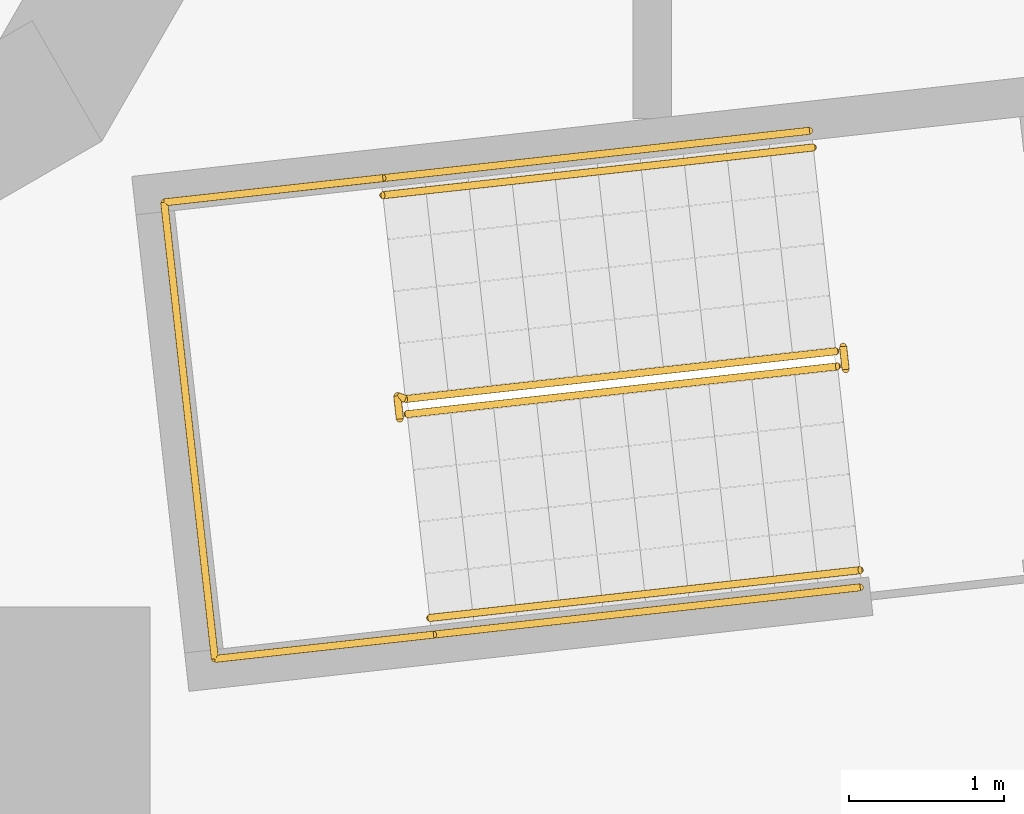
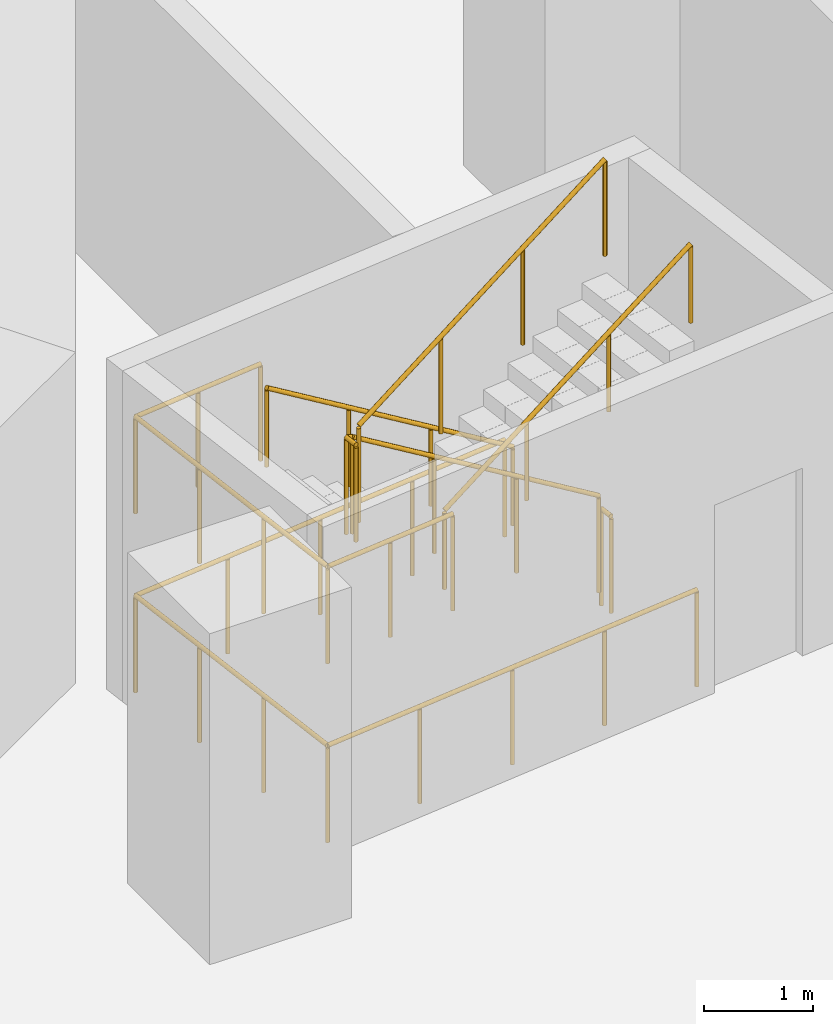
# One storey, part 14 of 18: 7 railings.
"""IFC4 building model written with IfcOpenShell, lengths in metres."""

from ifc_helpers import new_model, si_unit, direction, frame, origin, origin_2d, place, context, subcontext, project, spatial, circle, extrude, material, type_object, element, save


model = new_model("IFC4")

# Units and contexts
model_context = context("Model", 3, precision=1e-05, world=origin(), true_north=direction((0.0, 1.0)))
body_context = subcontext(model_context, "Body", "Model", "MODEL_VIEW")
ifc_project = project(units=[si_unit("LENGTHUNIT", "METRE"), si_unit("AREAUNIT", "SQUARE_METRE"), si_unit("VOLUMEUNIT", "CUBIC_METRE"), si_unit("PLANEANGLEUNIT", "RADIAN"), si_unit("MASSUNIT", "GRAM", prefix="KILO")], contexts=[model_context])

# Site, building, storey
site_placement = place(None, origin())
site = spatial("IfcSite", under=ifc_project, at=site_placement, CompositionType="ELEMENT")
building_placement = place(site_placement, origin())
building = spatial("IfcBuilding", under=site, at=building_placement, Name="Cantera Rosa Tower", CompositionType="ELEMENT")
storey_placement = place(building_placement, frame((0.0, 0.0, -9.0)))
storey = spatial("IfcBuildingStorey", under=building, at=storey_placement, Name="B2", CompositionType="ELEMENT", Elevation=-9.0)

# Railings
ifc_material_1 = material(Name="Steel S355J2 (EN 10025-2)", Category="steel")
railing_type_1 = type_object("IfcRailingType", Name="STAIR GUARD 1100", PredefinedType="GUARDRAIL", material=ifc_material_1)
railing_1_placement = place(storey_placement, frame((13.5859375, -10.19677734375, 0.181884765625)))
element("IfcRailing", 1, at=railing_1_placement, inside=storey, type_object=railing_type_1, Name="B2 ST-14 stair guard 1", PredefinedType="GUARDRAIL", context=body_context, shape_type="SweptSolid", body=[
    extrude(circle(Radius=0.02392578125, at=origin_2d()), frame((0.0, 0.0, 1.076171875), z_axis=(-0.833565741067, -0.09251277965, 0.544618711504), x_axis=(0.110307106705, -0.993897551164, 0.0)), (0.0, 0.0, 1.0), 3.33837890625),
    extrude(circle(Radius=0.02392578125, at=origin_2d()), frame((-2.78271484375, -0.308837890625, 2.89404296875), z_axis=(-0.933456941688, 0.358689472963, 0.0), x_axis=(-0.358689472963, -0.933456941688, 0.0)), (0.0, 0.0, 1.0), 0.056396484375),
    extrude(circle(Radius=0.02392578125, at=origin_2d()), frame((-2.83544921875, -0.28857421875, 2.89404296875), z_axis=(0.110610055588, -0.993863881828, 0.0), x_axis=(0.993863881828, 0.110610055588, 0.0)), (0.0, 0.0, 1.0), 0.150146484375),
    extrude(circle(Radius=0.02099609375, at=origin_2d()), origin(), (0.0, 0.0, 1.0), 1.052001953125),
    extrude(circle(Radius=0.02099609375, at=origin_2d()), frame((-0.927490234375, -0.10302734375, 0.60595703125)), (0.0, 0.0, 1.0), 1.052001953125),
    extrude(circle(Radius=0.02099609375, at=origin_2d()), frame((-1.855224609375, -0.205810546875, 1.212158203125)), (0.0, 0.0, 1.0), 1.052001953125),
    extrude(circle(Radius=0.02099609375, at=origin_2d()), frame((-2.78271484375, -0.308837890625, 1.818115234375)), (0.0, 0.0, 1.0), 1.052001953125),
    extrude(circle(Radius=0.02099609375, at=origin_2d()), frame((-2.83544921875, -0.28857421875, 1.818115234375)), (0.0, 0.0, 1.0), 1.052001953125),
    extrude(circle(Radius=0.02099609375, at=origin_2d()), frame((-2.81884765625, -0.437744140625, 1.818115234375)), (0.0, 0.0, 1.0), 1.052001953125),
])
railing_2_placement = place(storey_placement, frame((10.81396484375, -10.60302734375, 2.181884765625)))
element("IfcRailing", 2, at=railing_2_placement, inside=storey, type_object=railing_type_1, Name="B2 ST-14 stair guard 2", PredefinedType="GUARDRAIL", context=body_context, shape_type="SweptSolid", body=[
    extrude(circle(Radius=0.02392578125, at=origin_2d()), frame((0.0, 0.0, 1.076171875), z_axis=(0.833588056777, 0.09250714026, 0.544585512661), x_axis=(-0.110297547524, 0.993898612038, 0.0)), (0.0, 0.0, 1.0), 3.338623046875),
    extrude(circle(Radius=0.02099609375, at=origin_2d()), origin(), (0.0, 0.0, 1.0), 1.052001953125),
    extrude(circle(Radius=0.02099609375, at=origin_2d()), frame((0.927734375, 0.10302734375, 0.60595703125)), (0.0, 0.0, 1.0), 1.052001953125),
    extrude(circle(Radius=0.02099609375, at=origin_2d()), frame((1.855224609375, 0.205810546875, 1.212158203125)), (0.0, 0.0, 1.0), 1.052001953125),
    extrude(circle(Radius=0.02099609375, at=origin_2d()), frame((2.782958984375, 0.308837890625, 1.818115234375)), (0.0, 0.0, 1.0), 1.052001953125),
])
railing_3_placement = place(storey_placement, frame((13.6328125, -10.16552734375, 0.0)))
element("IfcRailing", 3, at=railing_3_placement, inside=storey, type_object=railing_type_1, Name="B2 ST-14 stair guard 3", PredefinedType="GUARDRAIL", context=body_context, shape_type="SweptSolid", body=[
    extrude(circle(Radius=0.02392578125, at=origin_2d()), frame((0.0, 0.0, 1.076171875), z_axis=(0.110610055588, -0.993863881828, 0.0), x_axis=(0.993863881828, 0.110610055588, 0.0)), (0.0, 0.0, 1.0), 0.150146484375),
    extrude(circle(Radius=0.02099609375, at=origin_2d()), origin(), (0.0, 0.0, 1.0), 1.052001953125),
    extrude(circle(Radius=0.02099609375, at=origin_2d()), frame((0.0166015625, -0.149169921875, 0.0)), (0.0, 0.0, 1.0), 1.052001953125),
])
railing_4_placement = place(storey_placement, frame((13.415771484375, -8.77099609375, 0.0)))
element("IfcRailing", 4, at=railing_4_placement, inside=storey, type_object=railing_type_1, Name="B2 ST-14 stair guard 4", PredefinedType="GUARDRAIL", context=body_context, shape_type="SweptSolid", body=[
    extrude(circle(Radius=0.02392578125, at=origin_2d()), frame((0.0, 0.0, 1.076171875), z_axis=(-0.9938957856, -0.110323013767, 0.0), x_axis=(0.110323013767, -0.9938957856, 0.0)), (0.0, 0.0, 1.0), 4.197998046875),
    extrude(circle(Radius=0.02392578125, at=origin_2d()), frame((-4.17236328125, -0.463134765625, 1.076171875), z_axis=(0.110314237986, -0.993896759678, 0.0), x_axis=(0.993896759678, 0.110314237986, 0.0)), (0.0, 0.0, 1.0), 2.969970703125),
    extrude(circle(Radius=0.02392578125, at=origin_2d()), frame((-3.8447265625, -3.4150390625, 1.076171875), z_axis=(0.9938957856, 0.110323013767, 0.0), x_axis=(-0.110323013767, 0.9938957856, 0.0)), (0.0, 0.0, 1.0), 4.197998046875),
    extrude(circle(Radius=0.02099609375, at=origin_2d()), origin(), (0.0, 0.0, 1.0), 1.052001953125),
    extrude(circle(Radius=0.02099609375, at=origin_2d()), frame((-1.04296875, -0.11572265625, 0.0)), (0.0, 0.0, 1.0), 1.052001953125),
    extrude(circle(Radius=0.02099609375, at=origin_2d()), frame((-2.086181640625, -0.2314453125, 0.0)), (0.0, 0.0, 1.0), 1.052001953125),
    extrude(circle(Radius=0.02099609375, at=origin_2d()), frame((-3.12939453125, -0.347412109375, 0.0)), (0.0, 0.0, 1.0), 1.052001953125),
    extrude(circle(Radius=0.02099609375, at=origin_2d()), frame((-4.17236328125, -0.463134765625, 0.0)), (0.0, 0.0, 1.0), 1.052001953125),
    extrude(circle(Radius=0.02099609375, at=origin_2d()), frame((-4.063232421875, -1.447021484375, 0.0)), (0.0, 0.0, 1.0), 1.052001953125),
    extrude(circle(Radius=0.02099609375, at=origin_2d()), frame((-3.953857421875, -2.43115234375, 0.0)), (0.0, 0.0, 1.0), 1.052001953125),
    extrude(circle(Radius=0.02099609375, at=origin_2d()), frame((-3.8447265625, -3.4150390625, 0.0)), (0.0, 0.0, 1.0), 1.052001953125),
    extrude(circle(Radius=0.02099609375, at=origin_2d()), frame((-2.8017578125, -3.29931640625, 0.0)), (0.0, 0.0, 1.0), 1.052001953125),
    extrude(circle(Radius=0.02099609375, at=origin_2d()), frame((-1.758544921875, -3.18359375, 0.0)), (0.0, 0.0, 1.0), 1.052001953125),
    extrude(circle(Radius=0.02099609375, at=origin_2d()), frame((-0.71533203125, -3.067626953125, 0.0)), (0.0, 0.0, 1.0), 1.052001953125),
    extrude(circle(Radius=0.02099609375, at=origin_2d()), frame((0.32763671875, -2.951904296875, 0.0)), (0.0, 0.0, 1.0), 1.052001953125),
])
railing_5_placement = place(storey_placement, frame((10.65673828125, -9.0771484375, 2.0)))
element("IfcRailing", 5, at=railing_5_placement, inside=storey, type_object=railing_type_1, Name="B2 ST-14 stair guard 5", PredefinedType="GUARDRAIL", context=body_context, shape_type="SweptSolid", body=[
    extrude(circle(Radius=0.02392578125, at=origin_2d()), frame((0.0, 0.0, 1.076171875), z_axis=(-0.993887921413, -0.110393838913, 0.0), x_axis=(0.110393838913, -0.993887921413, 0.0)), (0.0, 0.0, 1.0), 1.422119140625),
    extrude(circle(Radius=0.02392578125, at=origin_2d()), frame((-1.413330078125, -0.156982421875, 1.076171875), z_axis=(0.110314237986, -0.993896759678, 0.0), x_axis=(0.993896759678, 0.110314237986, 0.0)), (0.0, 0.0, 1.0), 2.969970703125),
    extrude(circle(Radius=0.02392578125, at=origin_2d()), frame((-1.085693359375, -3.10888671875, 1.076171875), z_axis=(0.993887921413, 0.110393838913, 0.0), x_axis=(-0.110393838913, 0.993887921413, 0.0)), (0.0, 0.0, 1.0), 1.422119140625),
    extrude(circle(Radius=0.02099609375, at=origin_2d()), origin(), (0.0, 0.0, 1.0), 1.052001953125),
    extrude(circle(Radius=0.02099609375, at=origin_2d()), frame((-0.70654296875, -0.07861328125, 0.0)), (0.0, 0.0, 1.0), 1.052001953125),
    extrude(circle(Radius=0.02099609375, at=origin_2d()), frame((-1.413330078125, -0.156982421875, 0.0)), (0.0, 0.0, 1.0), 1.052001953125),
    extrude(circle(Radius=0.02099609375, at=origin_2d()), frame((-1.30419921875, -1.140869140625, 0.0)), (0.0, 0.0, 1.0), 1.052001953125),
    extrude(circle(Radius=0.02099609375, at=origin_2d()), frame((-1.19482421875, -2.125, 0.0)), (0.0, 0.0, 1.0), 1.052001953125),
    extrude(circle(Radius=0.02099609375, at=origin_2d()), frame((-1.085693359375, -3.10888671875, 0.0)), (0.0, 0.0, 1.0), 1.052001953125),
    extrude(circle(Radius=0.02099609375, at=origin_2d()), frame((-0.37890625, -3.0302734375, 0.0)), (0.0, 0.0, 1.0), 1.052001953125),
    extrude(circle(Radius=0.02099609375, at=origin_2d()), frame((0.32763671875, -2.951904296875, 0.0)), (0.0, 0.0, 1.0), 1.052001953125),
])
ifc_material_2 = material(Name="Steel S355J2 (EN 10025-2)", Category="steel")
railing_type_2 = type_object("IfcRailingType", Name="STAIR HANDRAIL 900", PredefinedType="HANDRAIL", material=ifc_material_2)
railing_6_placement = place(storey_placement, frame((13.439697265625, -8.87890625, 0.181884765625)))
element("IfcRailing", 6, at=railing_6_placement, inside=storey, type_object=railing_type_2, Name="B2 ST-14 stair handrail 1", PredefinedType="HANDRAIL", context=body_context, shape_type="SweptSolid", body=[
    extrude(circle(Radius=0.02392578125, at=origin_2d()), frame((0.0, 0.0, 0.8759765625), z_axis=(-0.833565741067, -0.09251277965, 0.544618711504), x_axis=(0.110307106705, -0.993897551164, 0.0)), (0.0, 0.0, 1.0), 3.33837890625),
    extrude(circle(Radius=0.02099609375, at=origin_2d()), origin(), (0.0, 0.0, 1.0), 0.851806640625),
    extrude(circle(Radius=0.02099609375, at=origin_2d()), frame((-0.927490234375, -0.10302734375, 0.60595703125)), (0.0, 0.0, 1.0), 0.851806640625),
    extrude(circle(Radius=0.02099609375, at=origin_2d()), frame((-1.855224609375, -0.205810546875, 1.212158203125)), (0.0, 0.0, 1.0), 0.851806640625),
    extrude(circle(Radius=0.02099609375, at=origin_2d()), frame((-2.78271484375, -0.308837890625, 1.818115234375)), (0.0, 0.0, 1.0), 0.851806640625),
])
railing_7_placement = place(storey_placement, frame((10.960205078125, -11.921142578125, 2.181884765625)))
element("IfcRailing", 7, at=railing_7_placement, inside=storey, type_object=railing_type_2, Name="B2 ST-14 stair handrail 2", PredefinedType="HANDRAIL", context=body_context, shape_type="SweptSolid", body=[
    extrude(circle(Radius=0.02392578125, at=origin_2d()), frame((0.0, 0.0, 0.8759765625), z_axis=(0.833582415484, 0.092579641899, 0.544581827187), x_axis=(-0.110383677283, 0.99388905004, 0.0)), (0.0, 0.0, 1.0), 3.338623046875),
    extrude(circle(Radius=0.02099609375, at=origin_2d()), origin(), (0.0, 0.0, 1.0), 0.851806640625),
    extrude(circle(Radius=0.02099609375, at=origin_2d()), frame((0.927734375, 0.10302734375, 0.60595703125)), (0.0, 0.0, 1.0), 0.851806640625),
    extrude(circle(Radius=0.02099609375, at=origin_2d()), frame((1.855224609375, 0.2060546875, 1.212158203125)), (0.0, 0.0, 1.0), 0.851806640625),
    extrude(circle(Radius=0.02099609375, at=origin_2d()), frame((2.782958984375, 0.30908203125, 1.818115234375)), (0.0, 0.0, 1.0), 0.851806640625),
])

save(model, "model.ifc")
